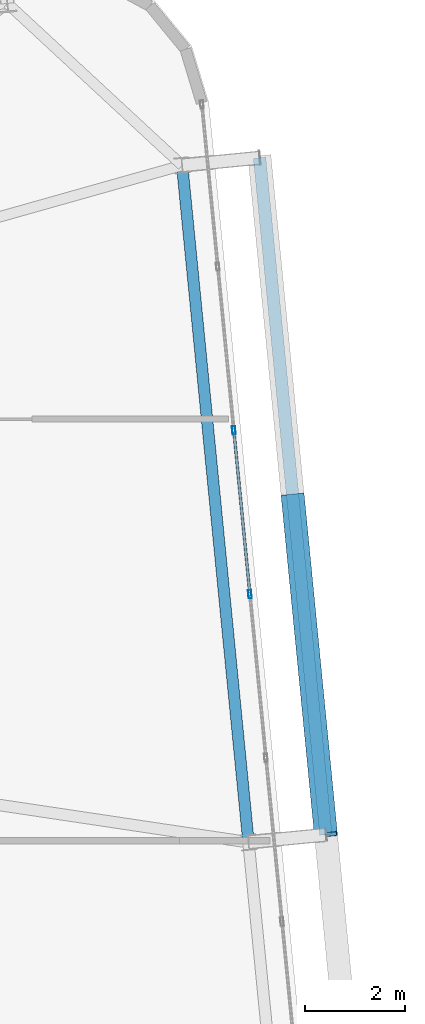
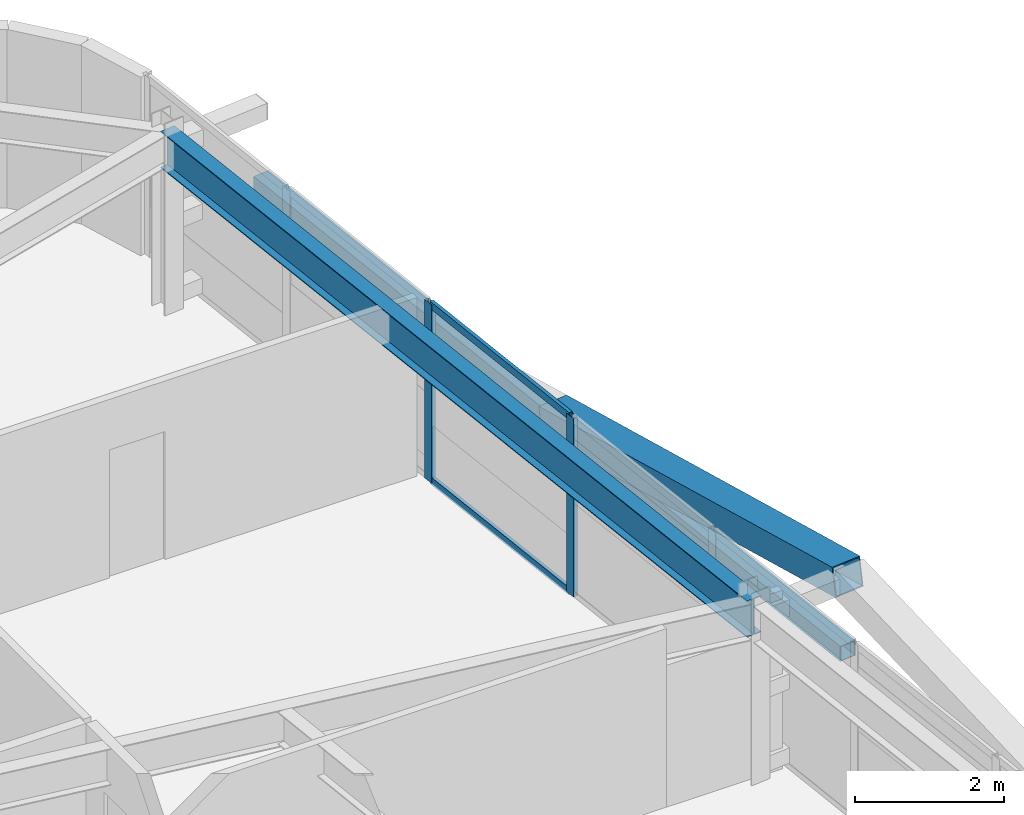
# One storey, part 26 of 53: 6 members, 1 beam, 1 element without a shape of its own.
"""IFC4 building model written with IfcOpenShell, lengths in metres."""

from ifc_helpers import new_model, si_unit, direction, frame, origin, origin_2d, place, context, subcontext, project, spatial, hollow_rectangle, i_section, extrude, source, transform, mapped, material, layer, layer_set, material_profile, profile_set, type_object, element, aggregate, save


model = new_model("IFC4")

# Units and contexts
model_context = context("Model", 3, precision=1e-05, world=origin(), true_north=direction((0.0, 1.0)))
body_context = subcontext(model_context, "Body", "Model", "MODEL_VIEW")
ifc_project = project(units=[si_unit("LENGTHUNIT", "METRE"), si_unit("AREAUNIT", "SQUARE_METRE"), si_unit("VOLUMEUNIT", "CUBIC_METRE"), si_unit("PLANEANGLEUNIT", "RADIAN"), si_unit("MASSUNIT", "GRAM", prefix="KILO")], contexts=[model_context])

# Site, building, storey
site_placement = place(None, origin())
site = spatial("IfcSite", under=ifc_project, at=site_placement, CompositionType="ELEMENT")
building_placement = place(site_placement, origin())
building = spatial("IfcBuilding", under=site, at=building_placement, Name="Taldren Reach Tower", CompositionType="ELEMENT")
storey_placement = place(building_placement, frame((0.0, 0.0, 80.85009765625)))
storey = spatial("IfcBuildingStorey", under=building, at=storey_placement, Name="L24", CompositionType="ELEMENT", Elevation=80.85009765625)

# Beam
ifc_material_1 = material(Name="Steel Gr 350 (350PLUS)", Category="steel")
ifc_material_profile_1 = material_profile(ifc_material_1, i_section(OverallWidth=0.22802734375, OverallDepth=0.60205078125, WebThickness=0.010498046875, FlangeThickness=0.014892578125, at=origin_2d()), Name="610UB101")
ifc_profile_set_1 = profile_set([ifc_material_profile_1], Name="Steel Gr 350 (350PLUS)")
beam_type = type_object("IfcBeamType", Name="BM-UB610B", PredefinedType="BEAM", material=ifc_profile_set_1)
shared_shape_1 = source(origin(), body_context, "Body", "SweptSolid", [
    extrude(i_section(OverallWidth=0.22802734375, OverallDepth=0.60205078125, WebThickness=0.010498046875, FlangeThickness=0.014892578125, at=origin_2d()), origin(), (0.0, 0.0, 1.0), 13.550048828125),
])
beam_placement = place(storey_placement, frame((64.569580078125, 21.968994140625, 2.62890625), z_axis=(-0.097584021339, 0.995227290009, 0.0), x_axis=(-0.995227290009, -0.097584021339, 0.0)))
element("IfcBeam", 1, at=beam_placement, inside=storey, type_object=beam_type, Name="Perimeter gable girder B2 E2-E3 L24", PredefinedType="BEAM", context=body_context, shape_type="MappedRepresentation", body=[
    mapped(shared_shape_1, transform((0.0, 0.0, 0.0), scale=1.0)),
])

# Members
ifc_material_2 = material(Name="Steel Gr 450 (C450L0)", Category="steel")
ifc_material_profile_2 = material_profile(ifc_material_2, hollow_rectangle(XDim=0.4599609375, YDim=0.4599609375, WallThickness=0.01611328125, at=origin_2d()), Name="460x460x16.0SHS")
ifc_profile_set_2 = profile_set([ifc_material_profile_2], Name="Steel Gr 450 (C450L0)")
member_type_1 = type_object("IfcMemberType", Name="MB-EXO457", PredefinedType="BRACE", material=ifc_profile_set_2)
shared_shape_2 = source(origin(), body_context, "Body", "SweptSolid", [
    extrude(hollow_rectangle(XDim=0.4599609375, YDim=0.4599609375, WallThickness=0.01611328125, at=origin_2d()), origin(), (0.0, 0.0, 1.0), 6.883056640625),
])
member_1_placement = place(storey_placement, frame((65.450927734375, 28.86279296875, 1.434814453125), z_axis=(0.09605145821, -0.97959718347, 0.176531797456), x_axis=(0.995227290009, 0.097584021339, 0.0)))
element("IfcMember", 2, at=member_1_placement, inside=storey, type_object=member_type_1, Name="Exoskeleton Diagrid Brace B2-E2 L24", PredefinedType="BRACE", context=body_context, shape_type="MappedRepresentation", body=[
    mapped(shared_shape_2, transform((0.0, 0.0, 0.0), scale=1.0)),
])
ifc_material_3 = material(Name="Steel Gr 350 (C350L0)", Category="steel")
ifc_material_profile_3 = material_profile(ifc_material_3, hollow_rectangle(XDim=0.25, YDim=0.25, WallThickness=0.010009765625, at=origin_2d()), Name="250x250x10.0SHS")
ifc_profile_set_3 = profile_set([ifc_material_profile_3], Name="Steel Gr 350 (C350L0)")
member_type_2 = type_object("IfcMemberType", Name="MB-POST250", PredefinedType="POST", material=ifc_profile_set_3)
shared_shape_3 = source(origin(), body_context, "Body", "SweptSolid", [
    extrude(hollow_rectangle(XDim=0.25, YDim=0.25, WallThickness=0.010009765625, at=origin_2d()), origin(), (0.0, 0.0, 1.0), 13.550048828125),
])
member_2_placement = place(storey_placement, frame((66.112060546875, 22.1201171875, 1.434814453125), z_axis=(-0.097584021339, 0.995227290009, 0.0), x_axis=(-0.995227290009, -0.097584021339, 0.0)))
element("IfcMember", 3, at=member_2_placement, inside=storey, type_object=member_type_2, Name="Exoskeleton mid-height ring chord B2-E2 L24", PredefinedType="POST", context=body_context, shape_type="MappedRepresentation", body=[
    mapped(shared_shape_3, transform((0.0, 0.0, 0.0), scale=1.0)),
])

# Curtain wall, members
ifc_material_4 = material(Name="Aluminium and Low-E Glass Unitised System", Category="aluminium")
ifc_layer = layer(ifc_material_4, 0.159912109375)
ifc_layer_set = layer_set([ifc_layer], Name="Aluminium and Low-E Glass Unitised System")
curtain_wall_type = type_object("IfcCurtainWallType", Name="CW-SYS-3", PredefinedType="NOTDEFINED", material=ifc_layer_set)
curtain_wall_placement = place(storey_placement, origin())
curtain_wall = element("IfcCurtainWall", 4, at=curtain_wall_placement, inside=storey, type_object=curtain_wall_type, Name="Unitised curtain wall CW-L24-E", PredefinedType="NOTDEFINED")
ifc_material_5 = material(Name="Anodised Aluminium 6063-T6", Category="aluminium")
ifc_material_profile_4 = material_profile(ifc_material_5, hollow_rectangle(XDim=0.06494140625, YDim=0.1650390625, WallThickness=0.00390625, at=origin_2d()), Name="ALU-165x65x4RHS")
ifc_profile_set_4 = profile_set([ifc_material_profile_4], Name="Anodised Aluminium 6063-T6")
member_type_3 = type_object("IfcMemberType", Name="CW-MUL-165", PredefinedType="MULLION", material=ifc_profile_set_4)
shared_shape_4 = source(origin(), body_context, "Body", "SweptSolid", [
    extrude(hollow_rectangle(XDim=0.06494140625, YDim=0.1650390625, WallThickness=0.00390625, at=origin_2d()), origin(), (0.0, 0.0, 1.0), 2.929931640625),
])
member_3_placement = place(storey_placement, frame((64.59716796875, 26.911865234375, 0.0), z_axis=(0.0, 0.0, 1.0), x_axis=(-0.99522741555, -0.09758274098, 0.0)))
member_3 = element("IfcMember", 5, at=member_3_placement, type_object=member_type_3, Name="CW-3 mullion 7", PredefinedType="MULLION", context=body_context, shape_type="MappedRepresentation", body=[
    mapped(shared_shape_4, transform((0.0, 0.0, 0.0), scale=1.0)),
])
member_4_placement = place(storey_placement, frame((64.27734375, 30.174072265625, 0.0), z_axis=(0.0, 0.0, 1.0), x_axis=(-0.99522741555, -0.09758274098, 0.0)))
member_4 = element("IfcMember", 6, at=member_4_placement, type_object=member_type_3, Name="CW-3 mullion 8", PredefinedType="MULLION", context=body_context, shape_type="MappedRepresentation", body=[
    mapped(shared_shape_4, transform((0.0, 0.0, 0.0), scale=1.0)),
])
ifc_material_profile_5 = material_profile(ifc_material_5, hollow_rectangle(XDim=0.054931640625, YDim=0.1201171875, WallThickness=0.0029296875, at=origin_2d()), Name="ALU-120x55x3RHS")
ifc_profile_set_5 = profile_set([ifc_material_profile_5], Name="Anodised Aluminium 6063-T6")
member_type_4 = type_object("IfcMemberType", Name="CW-TRN-135", PredefinedType="USERDEFINED", material=ifc_profile_set_5)
shared_shape_5 = source(origin(), body_context, "Body", "SweptSolid", [
    extrude(hollow_rectangle(XDim=0.054931640625, YDim=0.1201171875, WallThickness=0.0029296875, at=origin_2d()), origin(), (0.0, 0.0, 1.0), 3.212890625),
])
member_5_placement = place(storey_placement, frame((64.593994140625, 26.944091796875, 0.02734375), z_axis=(-0.097569948235, 0.995228669805, 0.0), x_axis=(-0.995228669805, -0.097569948235, 0.0)))
member_5 = element("IfcMember", 7, at=member_5_placement, type_object=member_type_4, Name="CW-3 transom 7.1", ObjectType="TRANSOM", PredefinedType="USERDEFINED", context=body_context, shape_type="MappedRepresentation", body=[
    mapped(shared_shape_5, transform((0.0, 0.0, 0.0), scale=1.0)),
])
member_6_placement = place(storey_placement, frame((64.593994140625, 26.944091796875, 2.90234375), z_axis=(-0.097569948235, 0.995228669805, 0.0), x_axis=(-0.995228669805, -0.097569948235, 0.0)))
member_6 = element("IfcMember", 8, at=member_6_placement, type_object=member_type_4, Name="CW-3 transom 7.2", ObjectType="TRANSOM", PredefinedType="USERDEFINED", context=body_context, shape_type="MappedRepresentation", body=[
    mapped(shared_shape_5, transform((0.0, 0.0, 0.0), scale=1.0)),
])
aggregate(curtain_wall, [member_3, member_4, member_5, member_6])

save(model, "model.ifc")
